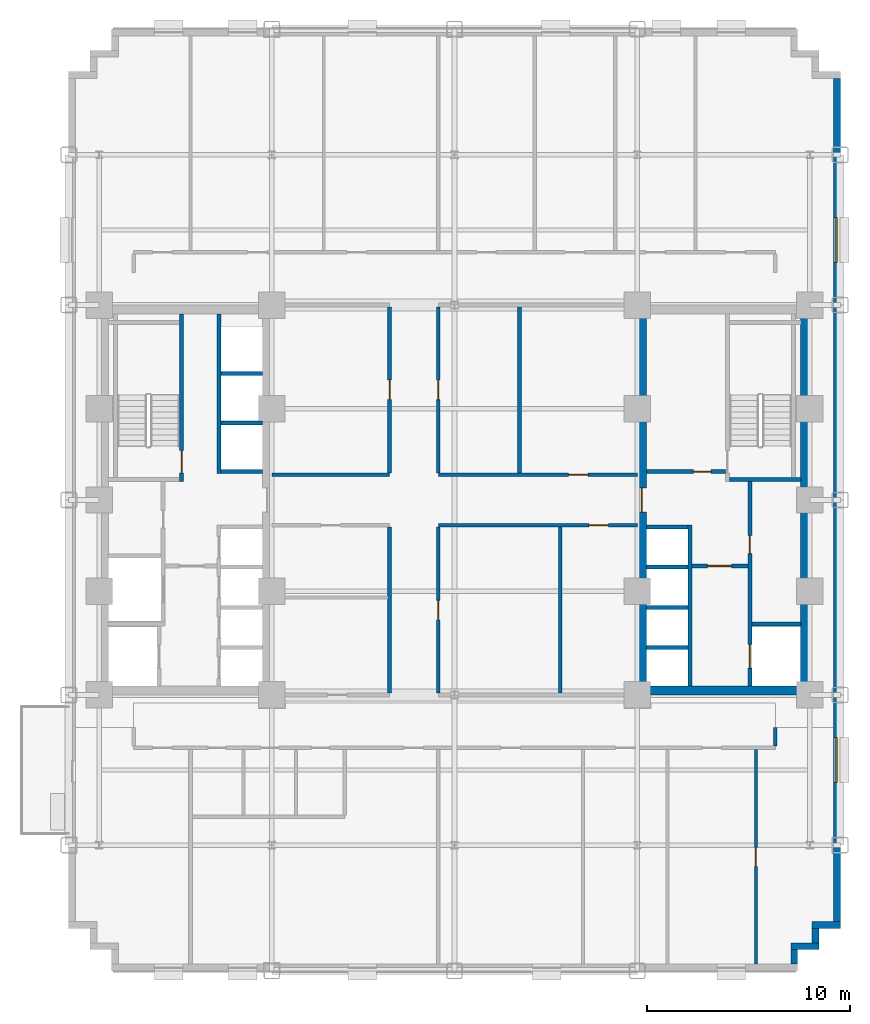
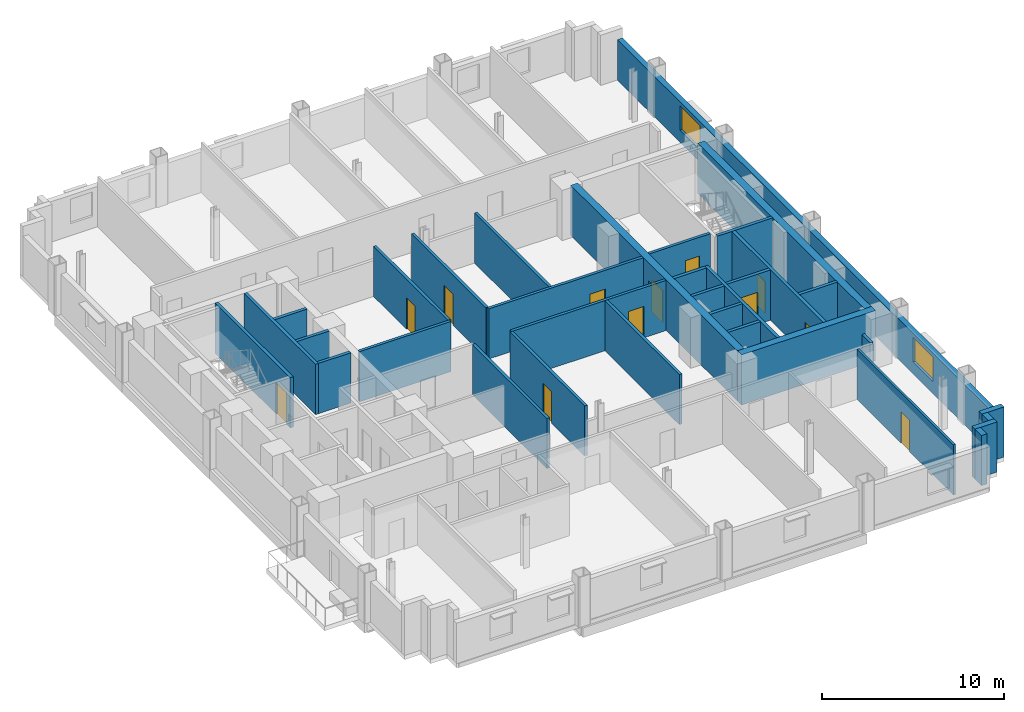
# One storey, part 6 of 12: 34 walls, 12 doors, 2 windows, 14 openings.
"""IFC4 building model written with IfcOpenShell, lengths in metres."""

from ifc_helpers import new_model, si_unit, direction, frame, frame_2d, origin, place, context, subcontext, project, spatial, rectangle, extrude, source, transform, mapped, material, layer, layer_set, type_object, type_shapes, element, fill, save


model = new_model("IFC4")

# Units and contexts
model_context = context("Model", 3, precision=1e-05, world=origin(), true_north=direction((0.0, 1.0)))
body_context = subcontext(model_context, "Body", "Model", "MODEL_VIEW")
ifc_project = project(units=[si_unit("LENGTHUNIT", "METRE"), si_unit("AREAUNIT", "SQUARE_METRE"), si_unit("VOLUMEUNIT", "CUBIC_METRE"), si_unit("PLANEANGLEUNIT", "RADIAN"), si_unit("MASSUNIT", "GRAM", prefix="KILO")], contexts=[model_context])

# Site, building, storey
site_placement = place(None, origin())
site = spatial("IfcSite", under=ifc_project, at=site_placement, CompositionType="ELEMENT")
building_placement = place(site_placement, origin())
building = spatial("IfcBuilding", under=site, at=building_placement, Name="Nuvemarco Arch Tower", CompositionType="ELEMENT")
storey_placement = place(building_placement, frame((0.0, 0.0, 49.5)))
storey = spatial("IfcBuildingStorey", under=building, at=storey_placement, Name="L12", CompositionType="ELEMENT", Elevation=49.5)

# Walls
ifc_material_1 = material(Name="Precast concrete C45/55", Category="concrete")
ifc_layer_1 = layer(ifc_material_1, 0.340087890625, Name="EW-LOW-340")
ifc_layer_set_1 = layer_set([ifc_layer_1], Name="Precast concrete C45/55")
wall_type_1 = type_object("IfcWallType", Name="EW-LOW-340", PredefinedType="STANDARD", material=ifc_layer_set_1)
wall_1_placement = place(storey_placement, frame((16.72998046875, -22.864013671875, 0.0), z_axis=(0.0, 0.0, 1.0), x_axis=(0.0, 1.0, 0.0)))
element("IfcWall", 1, at=wall_1_placement, inside=storey, type_object=wall_type_1, Name="L12 exterior precast facade wall 2", PredefinedType="STANDARD", context=body_context, shape_type="SweptSolid", body=[
    extrude(rectangle(XDim=0.718017578125, YDim=0.340087890625, at=frame_2d((0.35888671875, 0.0))), origin(), (0.0, 0.0, 1.0), 3.360107421875),
])
wall_2_placement = place(storey_placement, frame((16.56005859375, -21.97998046875, 0.0), z_axis=(0.0, 0.0, 1.0), x_axis=(1.0, 0.0, 0.0)))
element("IfcWall", 2, at=wall_2_placement, inside=storey, type_object=wall_type_1, Name="L12 exterior precast facade wall 3", PredefinedType="STANDARD", context=body_context, shape_type="SweptSolid", body=[
    extrude(rectangle(XDim=1.389892578125, YDim=0.340087890625, at=frame_2d((0.69482421875, 0.0))), origin(), (0.0, 0.0, 1.0), 3.360107421875),
])
wall_3_placement = place(storey_placement, frame((17.780029296875, -21.81396484375, 0.0), z_axis=(0.0, 0.0, 1.0), x_axis=(0.0, 1.0, 0.0)))
element("IfcWall", 3, at=wall_3_placement, inside=storey, type_object=wall_type_1, Name="L12 exterior precast facade wall 4", PredefinedType="STANDARD", context=body_context, shape_type="SweptSolid", body=[
    extrude(rectangle(XDim=0.718017578125, YDim=0.340087890625, at=frame_2d((0.35888671875, 0.0))), origin(), (0.0, 0.0, 1.0), 3.360107421875),
])
wall_4_placement = place(storey_placement, frame((17.610107421875, -20.929931640625, 0.0), z_axis=(0.0, 0.0, 1.0), x_axis=(1.0, 0.0, 0.0)))
element("IfcWall", 4, at=wall_4_placement, inside=storey, type_object=wall_type_1, Name="L12 exterior precast facade wall 5", PredefinedType="STANDARD", context=body_context, shape_type="SweptSolid", body=[
    extrude(rectangle(XDim=1.389892578125, YDim=0.340087890625, at=frame_2d((0.69482421875, 0.0))), origin(), (0.0, 0.0, 1.0), 3.360107421875),
])

# Wall, openings, windows
wall_5_placement = place(storey_placement, frame((18.830078125, -20.763916015625, 0.0), z_axis=(0.0, 0.0, 1.0), x_axis=(0.0, 1.0, 0.0)))
wall_5 = element("IfcWall", 5, at=wall_5_placement, inside=storey, type_object=wall_type_1, Name="L12 exterior precast facade wall 6", PredefinedType="STANDARD", context=body_context, shape_type="SweptSolid", body=[
    extrude(rectangle(XDim=41.52783203125, YDim=0.340087890625, at=frame_2d((20.763916015625, 0.0))), origin(), (0.0, 0.0, 1.0), 2.705078125),
])
opening_1_placement = place(wall_5_placement, frame((6.861572265625, 0.0, 0.800048828125)))
opening_1 = element("IfcOpeningElement", 6, at=opening_1_placement, cuts=wall_5, Name="Opening WN-3", PredefinedType="OPENING", context=body_context, shape_type="SweptSolid", body=[
    extrude(rectangle(XDim=2.199951171875, YDim=1.64990234375, at=frame_2d((1.10009765625, 0.824951171875))), frame((0.0, 0.179931640625, 0.0), z_axis=(0.0, -1.0, 0.0), x_axis=(1.0, 0.0, 0.0)), (0.0, 0.0, 1.0), 0.360107421875),
])
opening_2_placement = place(wall_5_placement, frame((32.466552734375, 0.0, 0.800048828125)))
opening_2 = element("IfcOpeningElement", 7, at=opening_2_placement, cuts=wall_5, Name="Opening WN-3", PredefinedType="OPENING", context=body_context, shape_type="SweptSolid", body=[
    extrude(rectangle(XDim=2.199951171875, YDim=1.64990234375, at=frame_2d((1.10009765625, 0.824951171875))), frame((0.0, 0.179931640625, 0.0), z_axis=(0.0, -1.0, 0.0), x_axis=(1.0, 0.0, 0.0)), (0.0, 0.0, 1.0), 0.360107421875),
])
ifc_material_2 = material(Name="Insulated solar-control glass", Category="glass")
window_type = type_object("IfcWindowType", Name="WN-LOW-2200x1650", PartitioningType="DOUBLE_PANEL_VERTICAL", PredefinedType="WINDOW", material=ifc_material_2)
shared_shape_1 = source(origin(), body_context, "Body", "SweptSolid", [
    extrude(rectangle(XDim=2.199951171875, YDim=1.64990234375, at=frame_2d((1.10009765625, 0.824951171875))), frame((0.0, 0.030029296875, 0.0), z_axis=(0.0, -1.0, 0.0), x_axis=(1.0, 0.0, 0.0)), (0.0, 0.0, 1.0), 0.06005859375),
])
type_shapes(window_type, [shared_shape_1])
window_1_placement = place(opening_1_placement, origin())
window_1 = element("IfcWindow", 8, at=window_1_placement, inside=storey, type_object=window_type, Name="L12 punched facade window 2", OverallHeight=1.64990234375, OverallWidth=2.199951171875, PartitioningType="SINGLE_PANEL", PredefinedType="WINDOW", context=body_context, shape_type="MappedRepresentation", body=[
    mapped(shared_shape_1, transform((0.0, 0.0, 0.0), scale=1.0)),
])
fill(opening_1, window_1)
window_2_placement = place(opening_2_placement, origin())
window_2 = element("IfcWindow", 9, at=window_2_placement, inside=storey, type_object=window_type, Name="L12 punched facade window 7", OverallHeight=1.64990234375, OverallWidth=2.199951171875, PartitioningType="SINGLE_PANEL", PredefinedType="WINDOW", context=body_context, shape_type="MappedRepresentation", body=[
    mapped(shared_shape_1, transform((0.0, 0.0, 0.0), scale=1.0)),
])
fill(opening_2, window_2)

# Wall
ifc_material_3 = material(Name="Concrete C60/75", Category="concrete")
ifc_layer_2 = layer(ifc_material_3, 0.449951171875, Name="WL-CORE-450")
ifc_layer_set_2 = layer_set([ifc_layer_2], Name="Concrete C60/75")
wall_type_2 = type_object("IfcWallType", Name="WL-CORE-450", PredefinedType="SHEAR", material=ifc_layer_set_2)
wall_6_placement = place(storey_placement, frame((9.0, -9.375, 0.0), z_axis=(0.0, 0.0, 1.0), x_axis=(1.0, 0.0, 0.0)))
element("IfcWall", 10, at=wall_6_placement, inside=storey, type_object=wall_type_2, Name="L12 E-core shear wall S", PredefinedType="SHEAR", context=body_context, shape_type="SweptSolid", body=[
    extrude(rectangle(XDim=8.5, YDim=0.449951171875, at=frame_2d((4.25, 0.0))), origin(), (0.0, 0.0, 1.0), 3.3701171875),
])

# Wall, opening, door
wall_7_placement = place(storey_placement, frame((9.22509765625, -9.155029296875, 0.0), z_axis=(0.0, 0.0, 1.0), x_axis=(0.0, 1.0, 0.0)))
wall_7 = element("IfcWall", 11, at=wall_7_placement, inside=storey, type_object=wall_type_2, Name="L12 E-core shear wall W", PredefinedType="SHEAR", context=body_context, shape_type="SweptSolid", body=[
    extrude(rectangle(XDim=18.31005859375, YDim=0.449951171875, at=frame_2d((9.155029296875, 0.0))), origin(), (0.0, 0.0, 1.0), 3.3701171875),
])
opening_3_placement = place(wall_7_placement, frame((8.554931640625, 0.0, 0.0)))
opening_3 = element("IfcOpeningElement", 12, at=opening_3_placement, cuts=wall_7, Name="Opening FD-2", PredefinedType="OPENING", context=body_context, shape_type="SweptSolid", body=[
    extrude(rectangle(XDim=1.199951171875, YDim=2.14990234375, at=frame_2d((0.60009765625, 1.074951171875))), frame((0.0, 0.23486328125, 0.0), z_axis=(0.0, -1.0, 0.0), x_axis=(1.0, 0.0, 0.0)), (0.0, 0.0, 1.0), 0.469970703125),
])
ifc_material_4 = material(Name="Anodised steel fire door", Category="steel")
door_type_1 = type_object("IfcDoorType", Name="DR-FFLOB-FD", OperationType="NOTDEFINED", PredefinedType="DOOR", material=ifc_material_4)
shared_shape_2 = source(origin(), body_context, "Body", "SweptSolid", [
    extrude(rectangle(XDim=1.199951171875, YDim=2.14990234375, at=frame_2d((0.60009765625, 1.074951171875))), frame((0.0, 0.02490234375, 0.0), z_axis=(0.0, -1.0, 0.0), x_axis=(1.0, 0.0, 0.0)), (0.0, 0.0, 1.0), 0.050048828125),
])
type_shapes(door_type_1, [shared_shape_2])
door_1_placement = place(opening_3_placement, origin())
door_1 = element("IfcDoor", 13, at=door_1_placement, inside=storey, type_object=door_type_1, Name="L12 door FD-L12-ECORE-W", OperationType="SINGLE_SWING_RIGHT", OverallHeight=2.14990234375, OverallWidth=1.199951171875, PredefinedType="DOOR", context=body_context, shape_type="MappedRepresentation", body=[
    mapped(shared_shape_2, transform((0.0, 0.0, 0.0), scale=1.0)),
])
fill(opening_3, door_1)

# Wall
wall_8_placement = place(storey_placement, frame((17.27490234375, -9.155029296875, 0.0), z_axis=(0.0, 0.0, 1.0), x_axis=(0.0, 1.0, 0.0)))
element("IfcWall", 14, at=wall_8_placement, inside=storey, type_object=wall_type_2, Name="L12 E-core shear wall E", PredefinedType="SHEAR", context=body_context, shape_type="SweptSolid", body=[
    extrude(rectangle(XDim=18.31005859375, YDim=0.449951171875, at=frame_2d((9.155029296875, 0.0))), origin(), (0.0, 0.0, 1.0), 3.3701171875),
])

# Wall, opening, door
ifc_material_5 = material(Name="Fire-rated gypsum drywall partition")
ifc_layer_3 = layer(ifc_material_5, 0.179931640625, Name="WL-CORR-180")
ifc_layer_set_3 = layer_set([ifc_layer_3], Name="Fire-rated gypsum drywall partition")
wall_type_3 = type_object("IfcWallType", Name="WL-CORR-180", PredefinedType="PARTITIONING", material=ifc_layer_set_3)
wall_9_placement = place(storey_placement, frame((9.445068359375, 1.39990234375, 0.0), z_axis=(0.0, 0.0, 1.0), x_axis=(1.0, 0.0, 0.0)))
wall_9 = element("IfcWall", 15, at=wall_9_placement, inside=storey, type_object=wall_type_3, Name="L12 interior wall IW-L12-EK-S", PredefinedType="PARTITIONING", context=body_context, shape_type="SweptSolid", body=[
    extrude(rectangle(XDim=3.89990234375, YDim=0.179931640625, at=frame_2d((1.949951171875, 0.0))), origin(), (0.0, 0.0, 1.0), 3.360107421875),
])
opening_4_placement = place(wall_9_placement, frame((2.31494140625, 0.0, 0.0)))
opening_4 = element("IfcOpeningElement", 16, at=opening_4_placement, cuts=wall_9, Name="Opening FD-4", PredefinedType="OPENING", context=body_context, shape_type="SweptSolid", body=[
    extrude(rectangle(XDim=0.8798828125, YDim=2.10009765625, at=frame_2d((0.43994140625, 1.050048828125))), frame((0.0, 0.099853515625, 0.0), z_axis=(0.0, -1.0, 0.0), x_axis=(1.0, 0.0, 0.0)), (0.0, 0.0, 1.0), 0.199951171875),
])
door_type_2 = type_object("IfcDoorType", Name="DR-RISER-FD", OperationType="NOTDEFINED", PredefinedType="DOOR", material=ifc_material_4)
shared_shape_3 = source(origin(), body_context, "Body", "SweptSolid", [
    extrude(rectangle(XDim=0.8798828125, YDim=2.10009765625, at=frame_2d((0.43994140625, 1.050048828125))), frame((0.0, 0.02490234375, 0.0), z_axis=(0.0, -1.0, 0.0), x_axis=(1.0, 0.0, 0.0)), (0.0, 0.0, 1.0), 0.050048828125),
])
type_shapes(door_type_2, [shared_shape_3])
door_2_placement = place(opening_4_placement, origin())
door_2 = element("IfcDoor", 17, at=door_2_placement, inside=storey, type_object=door_type_2, Name="L12 door FD-L12-EK1A", OperationType="SINGLE_SWING_LEFT", OverallHeight=2.10009765625, OverallWidth=0.8798828125, PredefinedType="DOOR", context=body_context, shape_type="MappedRepresentation", body=[
    mapped(shared_shape_3, transform((0.0, 0.0, 0.0), scale=1.0)),
])
fill(opening_4, door_2)

wall_10_placement = place(storey_placement, frame((-0.800048828125, -1.25, 0.0), z_axis=(0.0, 0.0, 1.0), x_axis=(1.0, 0.0, 0.0)))
wall_10 = element("IfcWall", 18, at=wall_10_placement, inside=storey, type_object=wall_type_3, Name="L12 interior wall IW-L12-008", PredefinedType="PARTITIONING", context=body_context, shape_type="SweptSolid", body=[
    extrude(rectangle(XDim=9.800048828125, YDim=0.179931640625, at=frame_2d((4.89990234375, 0.0))), origin(), (0.0, 0.0, 1.0), 3.360107421875),
])
opening_5_placement = place(wall_10_placement, frame((7.419921875, 0.0, 0.0)))
opening_5 = element("IfcOpeningElement", 19, at=opening_5_placement, cuts=wall_10, Name="Opening FD-5", PredefinedType="OPENING", context=body_context, shape_type="SweptSolid", body=[
    extrude(rectangle(XDim=0.9599609375, YDim=2.10009765625, at=frame_2d((0.47998046875, 1.050048828125))), frame((0.0, 0.099853515625, 0.0), z_axis=(0.0, -1.0, 0.0), x_axis=(1.0, 0.0, 0.0)), (0.0, 0.0, 1.0), 0.199951171875),
])
ifc_material_6 = material(Name="Timber fire door", Category="wood")
door_type_3 = type_object("IfcDoorType", Name="DR-CORR-FD", OperationType="NOTDEFINED", PredefinedType="DOOR", material=ifc_material_6)
shared_shape_4 = source(origin(), body_context, "Body", "SweptSolid", [
    extrude(rectangle(XDim=0.9599609375, YDim=2.10009765625, at=frame_2d((0.47998046875, 1.050048828125))), frame((0.0, 0.02490234375, 0.0), z_axis=(0.0, -1.0, 0.0), x_axis=(1.0, 0.0, 0.0)), (0.0, 0.0, 1.0), 0.050048828125),
])
type_shapes(door_type_3, [shared_shape_4])
door_3_placement = place(opening_5_placement, origin())
door_3 = element("IfcDoor", 20, at=door_3_placement, inside=storey, type_object=door_type_3, Name="L12 door DR-L12-C_SE2", OperationType="SINGLE_SWING_RIGHT", OverallHeight=2.10009765625, OverallWidth=0.9599609375, PredefinedType="DOOR", context=body_context, shape_type="MappedRepresentation", body=[
    mapped(shared_shape_4, transform((0.0, 0.0, 0.0), scale=1.0)),
])
fill(opening_5, door_3)

# Wall
wall_11_placement = place(storey_placement, frame((-9.0, 1.25, 0.0), z_axis=(0.0, 0.0, 1.0), x_axis=(1.0, 0.0, 0.0)))
element("IfcWall", 21, at=wall_11_placement, inside=storey, type_object=wall_type_3, Name="L12 interior wall IW-L12-009", PredefinedType="PARTITIONING", context=body_context, shape_type="SweptSolid", body=[
    extrude(rectangle(XDim=5.800048828125, YDim=0.179931640625, at=frame_2d((2.89990234375, 0.0))), origin(), (0.0, 0.0, 1.0), 3.360107421875),
])

# Wall, opening, door
wall_12_placement = place(storey_placement, frame((-0.800048828125, 1.25, 0.0), z_axis=(0.0, 0.0, 1.0), x_axis=(1.0, 0.0, 0.0)))
wall_12 = element("IfcWall", 22, at=wall_12_placement, inside=storey, type_object=wall_type_3, Name="L12 interior wall IW-L12-010", PredefinedType="PARTITIONING", context=body_context, shape_type="SweptSolid", body=[
    extrude(rectangle(XDim=9.800048828125, YDim=0.179931640625, at=frame_2d((4.89990234375, 0.0))), origin(), (0.0, 0.0, 1.0), 3.360107421875),
])
opening_6_placement = place(wall_12_placement, frame((6.419921875, 0.0, 0.0)))
opening_6 = element("IfcOpeningElement", 23, at=opening_6_placement, cuts=wall_12, Name="Opening FD-5", PredefinedType="OPENING", context=body_context, shape_type="SweptSolid", body=[
    extrude(rectangle(XDim=0.9599609375, YDim=2.10009765625, at=frame_2d((0.47998046875, 1.050048828125))), frame((0.0, 0.099853515625, 0.0), z_axis=(0.0, -1.0, 0.0), x_axis=(1.0, 0.0, 0.0)), (0.0, 0.0, 1.0), 0.199951171875),
])
door_4_placement = place(opening_6_placement, origin())
door_4 = element("IfcDoor", 24, at=door_4_placement, inside=storey, type_object=door_type_3, Name="L12 door DR-L12-C_NE2", OperationType="SINGLE_SWING_RIGHT", OverallHeight=2.10009765625, OverallWidth=0.9599609375, PredefinedType="DOOR", context=body_context, shape_type="MappedRepresentation", body=[
    mapped(shared_shape_4, transform((0.0, 0.0, 0.0), scale=1.0)),
])
fill(opening_6, door_4)

# Wall
wall_13_placement = place(storey_placement, frame((-3.199951171875, -9.513916015625, 0.0), z_axis=(0.0, 0.0, 1.0), x_axis=(0.0, 1.0, 0.0)))
element("IfcWall", 25, at=wall_13_placement, inside=storey, type_object=wall_type_3, Name="L12 interior wall IW-L12-023", PredefinedType="PARTITIONING", context=body_context, shape_type="SweptSolid", body=[
    extrude(rectangle(XDim=8.177978515625, YDim=0.179931640625, at=frame_2d((4.0888671875, 0.0))), origin(), (0.0, 0.0, 1.0), 3.360107421875),
])

# Wall, opening, door
wall_14_placement = place(storey_placement, frame((-3.199951171875, 1.3359375, 0.0), z_axis=(0.0, 0.0, 1.0), x_axis=(0.0, 1.0, 0.0)))
wall_14 = element("IfcWall", 26, at=wall_14_placement, inside=storey, type_object=wall_type_3, Name="L12 interior wall IW-L12-024", PredefinedType="PARTITIONING", context=body_context, shape_type="SweptSolid", body=[
    extrude(rectangle(XDim=8.177978515625, YDim=0.179931640625, at=frame_2d((4.0888671875, 0.0))), origin(), (0.0, 0.0, 1.0), 3.360107421875),
])
opening_7_placement = place(wall_14_placement, frame((3.60888671875, 0.0, 0.0)))
opening_7 = element("IfcOpeningElement", 27, at=opening_7_placement, cuts=wall_14, Name="Opening FD-5", PredefinedType="OPENING", context=body_context, shape_type="SweptSolid", body=[
    extrude(rectangle(XDim=0.9599609375, YDim=2.10009765625, at=frame_2d((0.47998046875, 1.050048828125))), frame((0.0, 0.099853515625, 0.0), z_axis=(0.0, -1.0, 0.0), x_axis=(1.0, 0.0, 0.0)), (0.0, 0.0, 1.0), 0.199951171875),
])
door_5_placement = place(opening_7_placement, origin())
door_5 = element("IfcDoor", 28, at=door_5_placement, inside=storey, type_object=door_type_3, Name="L12 door DR-L12-C_NW", OperationType="SINGLE_SWING_RIGHT", OverallHeight=2.10009765625, OverallWidth=0.9599609375, PredefinedType="DOOR", context=body_context, shape_type="MappedRepresentation", body=[
    mapped(shared_shape_4, transform((0.0, 0.0, 0.0), scale=1.0)),
])
fill(opening_7, door_5)

wall_15_placement = place(storey_placement, frame((-0.800048828125, -9.513916015625, 0.0), z_axis=(0.0, 0.0, 1.0), x_axis=(0.0, 1.0, 0.0)))
wall_15 = element("IfcWall", 29, at=wall_15_placement, inside=storey, type_object=wall_type_3, Name="L12 interior wall IW-L12-026", PredefinedType="PARTITIONING", context=body_context, shape_type="SweptSolid", body=[
    extrude(rectangle(XDim=8.177978515625, YDim=0.179931640625, at=frame_2d((4.0888671875, 0.0))), origin(), (0.0, 0.0, 1.0), 3.360107421875),
])
opening_8_placement = place(wall_15_placement, frame((3.60888671875, 0.0, 0.0)))
opening_8 = element("IfcOpeningElement", 30, at=opening_8_placement, cuts=wall_15, Name="Opening FD-5", PredefinedType="OPENING", context=body_context, shape_type="SweptSolid", body=[
    extrude(rectangle(XDim=0.9599609375, YDim=2.10009765625, at=frame_2d((0.47998046875, 1.050048828125))), frame((0.0, 0.099853515625, 0.0), z_axis=(0.0, -1.0, 0.0), x_axis=(1.0, 0.0, 0.0)), (0.0, 0.0, 1.0), 0.199951171875),
])
door_6_placement = place(opening_8_placement, origin())
door_6 = element("IfcDoor", 31, at=door_6_placement, inside=storey, type_object=door_type_3, Name="L12 door DR-L12-C_SE1", OperationType="SINGLE_SWING_RIGHT", OverallHeight=2.10009765625, OverallWidth=0.9599609375, PredefinedType="DOOR", context=body_context, shape_type="MappedRepresentation", body=[
    mapped(shared_shape_4, transform((0.0, 0.0, 0.0), scale=1.0)),
])
fill(opening_8, door_6)

wall_16_placement = place(storey_placement, frame((-0.800048828125, 1.3359375, 0.0), z_axis=(0.0, 0.0, 1.0), x_axis=(0.0, 1.0, 0.0)))
wall_16 = element("IfcWall", 32, at=wall_16_placement, inside=storey, type_object=wall_type_3, Name="L12 interior wall IW-L12-027", PredefinedType="PARTITIONING", context=body_context, shape_type="SweptSolid", body=[
    extrude(rectangle(XDim=8.177978515625, YDim=0.179931640625, at=frame_2d((4.0888671875, 0.0))), origin(), (0.0, 0.0, 1.0), 3.360107421875),
])
opening_9_placement = place(wall_16_placement, frame((3.60888671875, 0.0, 0.0)))
opening_9 = element("IfcOpeningElement", 33, at=opening_9_placement, cuts=wall_16, Name="Opening FD-5", PredefinedType="OPENING", context=body_context, shape_type="SweptSolid", body=[
    extrude(rectangle(XDim=0.9599609375, YDim=2.10009765625, at=frame_2d((0.47998046875, 1.050048828125))), frame((0.0, 0.099853515625, 0.0), z_axis=(0.0, -1.0, 0.0), x_axis=(1.0, 0.0, 0.0)), (0.0, 0.0, 1.0), 0.199951171875),
])
door_7_placement = place(opening_9_placement, origin())
door_7 = element("IfcDoor", 34, at=door_7_placement, inside=storey, type_object=door_type_3, Name="L12 door DR-L12-C_NE1", OperationType="SINGLE_SWING_LEFT", OverallHeight=2.10009765625, OverallWidth=0.9599609375, PredefinedType="DOOR", context=body_context, shape_type="MappedRepresentation", body=[
    mapped(shared_shape_4, transform((0.0, 0.0, 0.0), scale=1.0)),
])
fill(opening_9, door_7)

# Walls
for number, where, z_axis, x_axis, name in (
    (35, (3.199951171875, 1.3359375, 0.0), (0.0, 0.0, 1.0), (0.0, 1.0, 0.0), "L12 interior wall IW-L12-029"),
    (36, (5.199951171875, -9.513916015625, 0.0), (0.0, 0.0, 1.0), (0.0, 1.0, 0.0), "L12 interior wall IW-L12-031"),
):
    element("IfcWall", number, at=place(storey_placement, frame(where, z_axis=z_axis, x_axis=x_axis)), inside=storey, type_object=wall_type_3, Name=name, PredefinedType="PARTITIONING", context=body_context, shape_type="SweptSolid", body=[
        extrude(rectangle(XDim=8.177978515625, YDim=0.179931640625, at=frame_2d((4.0888671875, 0.0))), origin(), (0.0, 0.0, 1.0), 3.360107421875),
    ])
wall_17_placement = place(storey_placement, frame((15.800048828125, -12.114013671875, 0.0), z_axis=(0.0, 0.0, 1.0), x_axis=(0.0, 1.0, 0.0)))
element("IfcWall", 37, at=wall_17_placement, inside=storey, type_object=wall_type_3, Name="L12 interior wall IW-L12-037", PredefinedType="PARTITIONING", context=body_context, shape_type="SweptSolid", body=[
    extrude(rectangle(XDim=0.9140625, YDim=0.179931640625, at=frame_2d((0.45703125, 0.0))), origin(), (0.0, 0.0, 1.0), 3.360107421875),
])

# Wall, opening, door
ifc_material_7 = material(Name="Gypsum plasterboard partition")
ifc_layer_4 = layer(ifc_material_7, 0.139892578125, Name="WL-ROOM-140")
ifc_layer_set_4 = layer_set([ifc_layer_4], Name="Gypsum plasterboard partition")
wall_type_4 = type_object("IfcWallType", Name="WL-ROOM-140", PredefinedType="PARTITIONING", material=ifc_layer_set_4)
wall_18_placement = place(storey_placement, frame((14.840087890625, -22.860107421875, 0.0), z_axis=(0.0, 0.0, 1.0), x_axis=(0.0, 1.0, 0.0)))
wall_18 = element("IfcWall", 38, at=wall_18_placement, inside=storey, type_object=wall_type_4, Name="L12 interior wall IW-L12-036", PredefinedType="PARTITIONING", context=body_context, shape_type="SweptSolid", body=[
    extrude(rectangle(XDim=10.57421875, YDim=0.139892578125, at=frame_2d((5.287109375, 0.0))), origin(), (0.0, 0.0, 1.0), 3.360107421875),
])
opening_10_placement = place(wall_18_placement, frame((4.81689453125, 0.0, 0.0)))
opening_10 = element("IfcOpeningElement", 39, at=opening_10_placement, cuts=wall_18, Name="Opening ID-1", PredefinedType="OPENING", context=body_context, shape_type="SweptSolid", body=[
    extrude(rectangle(XDim=0.93994140625, YDim=2.10009765625, at=frame_2d((0.469970703125, 1.050048828125))), frame((0.0, 0.079833984375, 0.0), z_axis=(0.0, -1.0, 0.0), x_axis=(1.0, 0.0, 0.0)), (0.0, 0.0, 1.0), 0.159912109375),
])
ifc_material_8 = material(Name="Veneered oak timber door", Category="wood")
door_type_4 = type_object("IfcDoorType", Name="DR-OFFICE-1", OperationType="NOTDEFINED", PredefinedType="DOOR", material=ifc_material_8)
shared_shape_5 = source(origin(), body_context, "Body", "SweptSolid", [
    extrude(rectangle(XDim=0.93994140625, YDim=2.10009765625, at=frame_2d((0.469970703125, 1.050048828125))), frame((0.0, 0.02490234375, 0.0), z_axis=(0.0, -1.0, 0.0), x_axis=(1.0, 0.0, 0.0)), (0.0, 0.0, 1.0), 0.050048828125),
])
type_shapes(door_type_4, [shared_shape_5])
door_8_placement = place(opening_10_placement, origin())
door_8 = element("IfcDoor", 40, at=door_8_placement, inside=storey, type_object=door_type_4, Name="L12 door DR-L12-S_6", OperationType="SINGLE_SWING_RIGHT", OverallHeight=2.10009765625, OverallWidth=0.93994140625, PredefinedType="DOOR", context=body_context, shape_type="MappedRepresentation", body=[
    mapped(shared_shape_5, transform((0.0, 0.0, 0.0), scale=1.0)),
])
fill(opening_10, door_8)

ifc_material_9 = material(Name="Concrete C50/60", Category="concrete")
ifc_layer_5 = layer(ifc_material_9, 0.199951171875, Name="WL-SHAFT-220")
ifc_layer_set_5 = layer_set([ifc_layer_5], Name="Concrete C50/60")
wall_type_5 = type_object("IfcWallType", Name="WL-SHAFT-220", PredefinedType="SHEAR", material=ifc_layer_set_5)
wall_19_placement = place(storey_placement, frame((-13.43994140625, 0.89990234375, 0.0), z_axis=(0.0, 0.0, 1.0), x_axis=(0.0, 1.0, 0.0)))
wall_19 = element("IfcWall", 41, at=wall_19_placement, inside=storey, type_object=wall_type_5, Name="L12 structural shaft wall SW-L12-W-ST1E", PredefinedType="SHEAR", context=body_context, shape_type="SweptSolid", body=[
    extrude(rectangle(XDim=8.255126953125, YDim=0.199951171875, at=frame_2d((4.12744140625, 0.0))), origin(), (0.0, 0.0, 1.0), 3.3701171875),
])
opening_11_placement = place(wall_19_placement, frame((1.530029296875, 0.0, 0.0), z_axis=(0.0, 0.0, 1.0), x_axis=(-1.0, 0.0, 0.0)))
opening_11 = element("IfcOpeningElement", 42, at=opening_11_placement, cuts=wall_19, Name="Opening FD-1", PredefinedType="OPENING", context=body_context, shape_type="SweptSolid", body=[
    extrude(rectangle(XDim=1.10009765625, YDim=2.14990234375, at=frame_2d((0.550048828125, 1.074951171875))), frame((0.0, 0.10986328125, 0.0), z_axis=(0.0, -1.0, 0.0), x_axis=(1.0, 0.0, 0.0)), (0.0, 0.0, 1.0), 0.219970703125),
])
door_type_5 = type_object("IfcDoorType", Name="DR-STAIR-FD", OperationType="NOTDEFINED", PredefinedType="DOOR", material=ifc_material_4)
shared_shape_6 = source(origin(), body_context, "Body", "SweptSolid", [
    extrude(rectangle(XDim=1.10009765625, YDim=2.14990234375, at=frame_2d((0.550048828125, 1.074951171875))), frame((0.0, 0.02490234375, 0.0), z_axis=(0.0, -1.0, 0.0), x_axis=(1.0, 0.0, 0.0)), (0.0, 0.0, 1.0), 0.050048828125),
])
type_shapes(door_type_5, [shared_shape_6])
door_9_placement = place(opening_11_placement, origin())
door_9 = element("IfcDoor", 43, at=door_9_placement, inside=storey, type_object=door_type_5, Name="L12 door FD-L12-ST1", OperationType="SINGLE_SWING_LEFT", OverallHeight=2.14990234375, OverallWidth=1.10009765625, PredefinedType="DOOR", context=body_context, shape_type="MappedRepresentation", body=[
    mapped(shared_shape_6, transform((0.0, 0.0, 0.0), scale=1.0)),
])
fill(opening_11, door_9)

# Walls
wall_20_placement = place(storey_placement, frame((-11.60009765625, 1.300048828125, 0.0), z_axis=(0.0, 0.0, 1.0), x_axis=(0.0, 1.0, 0.0)))
element("IfcWall", 44, at=wall_20_placement, inside=storey, type_object=wall_type_5, Name="L12 structural shaft wall SW-L12-W-PHW", PredefinedType="SHEAR", context=body_context, shape_type="SweptSolid", body=[
    extrude(rectangle(XDim=7.85498046875, YDim=0.199951171875, at=frame_2d((3.927490234375, 0.0))), origin(), (0.0, 0.0, 1.0), 3.3701171875),
])
for number, where, z_axis, x_axis, name in (
    (45, (-11.5048828125, 1.39990234375, 0.0), (0.0, 0.0, 1.0), (1.0, 0.0, 0.0), "L12 structural shaft wall SW-L12-W-PHD1"),
    (46, (-11.5048828125, 3.800048828125, 0.0), (0.0, 0.0, 1.0), (1.0, 0.0, 0.0), "L12 structural shaft wall SW-L12-W-PHD2"),
    (47, (-11.5048828125, 6.219970703125, 0.0), (0.0, 0.0, 1.0), (1.0, 0.0, 0.0), "L12 structural shaft wall SW-L12-W-PHD3"),
):
    element("IfcWall", number, at=place(storey_placement, frame(where, z_axis=z_axis, x_axis=x_axis)), inside=storey, type_object=wall_type_5, Name=name, PredefinedType="SHEAR", context=body_context, shape_type="SweptSolid", body=[
        extrude(rectangle(XDim=2.059814453125, YDim=0.199951171875, at=frame_2d((1.02978515625, 0.0))), origin(), (0.0, 0.0, 1.0), 3.3701171875),
    ])
wall_21_placement = place(storey_placement, frame((13.534912109375, 1.0, 0.0), z_axis=(0.0, 0.0, 1.0), x_axis=(1.0, 0.0, 0.0)))
element("IfcWall", 48, at=wall_21_placement, inside=storey, type_object=wall_type_5, Name="L12 structural shaft wall SW-L12-E-ST2S", PredefinedType="SHEAR", context=body_context, shape_type="SweptSolid", body=[
    extrude(rectangle(XDim=3.52001953125, YDim=0.199951171875, at=frame_2d((1.760009765625, 0.0))), origin(), (0.0, 0.0, 1.0), 3.3701171875),
])

# Wall, openings, doors
wall_22_placement = place(storey_placement, frame((14.550048828125, -9.155029296875, 0.0), z_axis=(0.0, 0.0, 1.0), x_axis=(0.0, 1.0, 0.0)))
wall_22 = element("IfcWall", 49, at=wall_22_placement, inside=storey, type_object=wall_type_5, Name="L12 structural shaft wall SW-L12-E-SHW", PredefinedType="SHEAR", context=body_context, shape_type="SweptSolid", body=[
    extrude(rectangle(XDim=10.06005859375, YDim=0.199951171875, at=frame_2d((5.030029296875, 0.0))), origin(), (0.0, 0.0, 1.0), 3.3701171875),
])
opening_12_placement = place(wall_22_placement, frame((6.514892578125, 0.0, 0.0)))
opening_12 = element("IfcOpeningElement", 50, at=opening_12_placement, cuts=wall_22, Name="Opening FD-4", PredefinedType="OPENING", context=body_context, shape_type="SweptSolid", body=[
    extrude(rectangle(XDim=0.8798828125, YDim=2.10009765625, at=frame_2d((0.43994140625, 1.050048828125))), frame((0.0, 0.10986328125, 0.0), z_axis=(0.0, -1.0, 0.0), x_axis=(1.0, 0.0, 0.0)), (0.0, 0.0, 1.0), 0.219970703125),
])
opening_13_placement = place(wall_22_placement, frame((0.8798828125, 0.0, 0.0)))
opening_13 = element("IfcOpeningElement", 51, at=opening_13_placement, cuts=wall_22, Name="Opening LD-2", PredefinedType="OPENING", context=body_context, shape_type="SweptSolid", body=[
    extrude(rectangle(XDim=1.14990234375, YDim=2.14990234375, at=frame_2d((0.574951171875, 1.074951171875))), frame((0.0, 0.10986328125, 0.0), z_axis=(0.0, -1.0, 0.0), x_axis=(1.0, 0.0, 0.0)), (0.0, 0.0, 1.0), 0.219970703125),
])
door_10_placement = place(opening_12_placement, origin())
door_10 = element("IfcDoor", 52, at=door_10_placement, inside=storey, type_object=door_type_2, Name="L12 door FD-L12-ERIS", OperationType="SINGLE_SWING_RIGHT", OverallHeight=2.10009765625, OverallWidth=0.8798828125, PredefinedType="DOOR", context=body_context, shape_type="MappedRepresentation", body=[
    mapped(shared_shape_3, transform((0.0, 0.0, 0.0), scale=1.0)),
])
fill(opening_12, door_10)
ifc_material_10 = material(Name="Stainless steel lift door", Category="steel")
door_type_6 = type_object("IfcDoorType", Name="DR-LIFT-FIRE", OperationType="DOUBLE_DOOR_SLIDING", PredefinedType="DOOR", material=ifc_material_10)
shared_shape_7 = source(origin(), body_context, "Body", "SweptSolid", [
    extrude(rectangle(XDim=1.14990234375, YDim=2.14990234375, at=frame_2d((0.574951171875, 1.074951171875))), frame((0.0, 0.02490234375, 0.0), z_axis=(0.0, -1.0, 0.0), x_axis=(1.0, 0.0, 0.0)), (0.0, 0.0, 1.0), 0.050048828125),
])
type_shapes(door_type_6, [shared_shape_7])
door_11_placement = place(opening_13_placement, origin())
door_11 = element("IfcDoor", 53, at=door_11_placement, inside=storey, type_object=door_type_6, Name="L12 Lift landing sliding door FFL-2", OperationType="DOUBLE_DOOR_SLIDING", OverallHeight=2.14990234375, OverallWidth=1.14990234375, PredefinedType="DOOR", context=body_context, shape_type="MappedRepresentation", body=[
    mapped(shared_shape_7, transform((0.0, 0.0, 0.0), scale=1.0)),
])
fill(opening_13, door_11)

# Walls
wall_23_placement = place(storey_placement, frame((14.64501953125, -6.10009765625, 0.0), z_axis=(0.0, 0.0, 1.0), x_axis=(1.0, 0.0, 0.0)))
element("IfcWall", 54, at=wall_23_placement, inside=storey, type_object=wall_type_5, Name="L12 structural shaft wall SW-L12-E-SH1", PredefinedType="SHEAR", context=body_context, shape_type="SweptSolid", body=[
    extrude(rectangle(XDim=2.409912109375, YDim=0.199951171875, at=frame_2d((1.205078125, 0.0))), origin(), (0.0, 0.0, 1.0), 3.3701171875),
])
wall_24_placement = place(storey_placement, frame((11.60009765625, -9.155029296875, 0.0), z_axis=(0.0, 0.0, 1.0), x_axis=(0.0, 1.0, 0.0)))
element("IfcWall", 55, at=wall_24_placement, inside=storey, type_object=wall_type_5, Name="L12 structural shaft wall SW-L12-E-PME", PredefinedType="SHEAR", context=body_context, shape_type="SweptSolid", body=[
    extrude(rectangle(XDim=7.925048828125, YDim=0.199951171875, at=frame_2d((3.96240234375, 0.0))), origin(), (0.0, 0.0, 1.0), 3.3701171875),
])

# Wall, opening, door
wall_25_placement = place(storey_placement, frame((11.695068359375, -3.25, 0.0), z_axis=(0.0, 0.0, 1.0), x_axis=(1.0, 0.0, 0.0)))
wall_25 = element("IfcWall", 56, at=wall_25_placement, inside=storey, type_object=wall_type_5, Name="L12 structural shaft wall SW-L12-E-FFN", PredefinedType="SHEAR", context=body_context, shape_type="SweptSolid", body=[
    extrude(rectangle(XDim=2.760009765625, YDim=0.199951171875, at=frame_2d((1.3798828125, 0.0))), origin(), (0.0, 0.0, 1.0), 3.3701171875),
])
opening_14_placement = place(wall_25_placement, frame((0.7548828125, 0.0, 0.0)))
opening_14 = element("IfcOpeningElement", 57, at=opening_14_placement, cuts=wall_25, Name="Opening FD-2", PredefinedType="OPENING", context=body_context, shape_type="SweptSolid", body=[
    extrude(rectangle(XDim=1.199951171875, YDim=2.14990234375, at=frame_2d((0.60009765625, 1.074951171875))), frame((0.0, 0.10986328125, 0.0), z_axis=(0.0, -1.0, 0.0), x_axis=(1.0, 0.0, 0.0)), (0.0, 0.0, 1.0), 0.219970703125),
])
door_12_placement = place(opening_14_placement, origin())
door_12 = element("IfcDoor", 58, at=door_12_placement, inside=storey, type_object=door_type_1, Name="L12 door FD-L12-EFF2", OperationType="SINGLE_SWING_RIGHT", OverallHeight=2.14990234375, OverallWidth=1.199951171875, PredefinedType="DOOR", context=body_context, shape_type="MappedRepresentation", body=[
    mapped(shared_shape_2, transform((0.0, 0.0, 0.0), scale=1.0)),
])
fill(opening_14, door_12)

# Walls
for number, where, z_axis, x_axis, name in (
    (59, (9.445068359375, -7.27001953125, 0.0), (0.0, 0.0, 1.0), (1.0, 0.0, 0.0), "L12 structural shaft wall SW-L12-E-PMD1"),
    (60, (9.445068359375, -5.2900390625, 0.0), (0.0, 0.0, 1.0), (1.0, 0.0, 0.0), "L12 structural shaft wall SW-L12-E-PMD2"),
    (61, (9.445068359375, -3.31005859375, 0.0), (0.0, 0.0, 1.0), (1.0, 0.0, 0.0), "L12 structural shaft wall SW-L12-E-PMD3"),
    (62, (9.445068359375, -1.330078125, 0.0), (0.0, 0.0, 1.0), (1.0, 0.0, 0.0), "L12 structural shaft wall SW-L12-E-PMD4"),
):
    element("IfcWall", number, at=place(storey_placement, frame(where, z_axis=z_axis, x_axis=x_axis)), inside=storey, type_object=wall_type_5, Name=name, PredefinedType="SHEAR", context=body_context, shape_type="SweptSolid", body=[
        extrude(rectangle(XDim=2.059814453125, YDim=0.199951171875, at=frame_2d((1.02978515625, 0.0))), origin(), (0.0, 0.0, 1.0), 3.3701171875),
    ])

save(model, "model.ifc")
